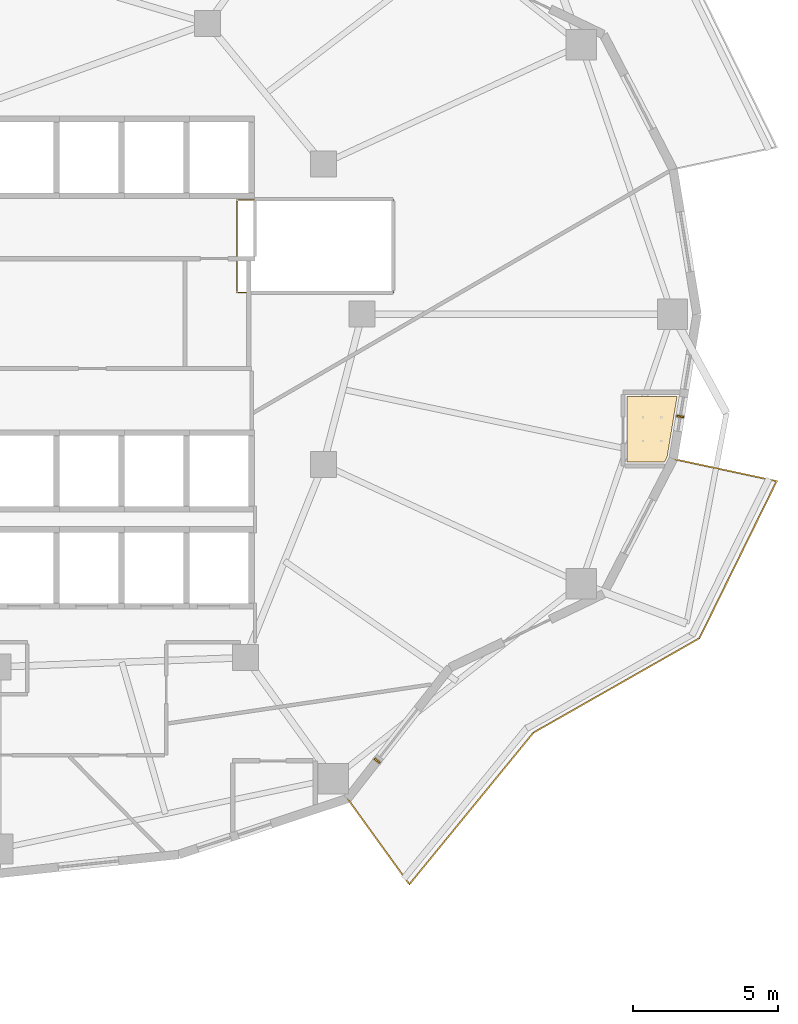
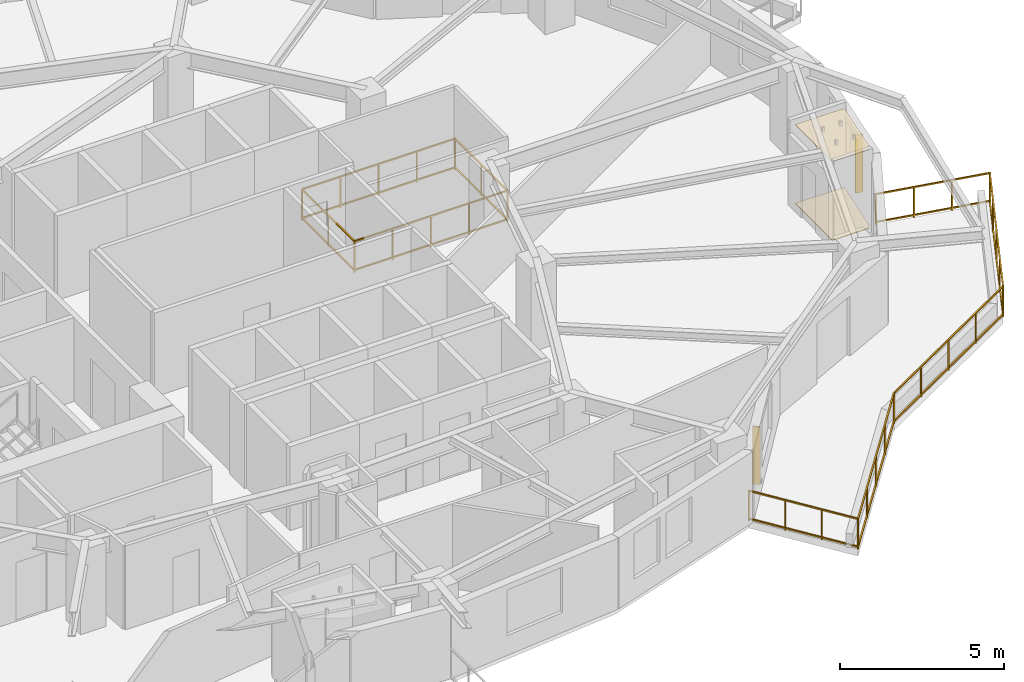
# One storey, part 12 of 14: 2 coverings, 2 railings, 2 shading devices.
"""IFC4 building model written with IfcOpenShell, lengths in metres."""

from ifc_helpers import new_model, si_unit, direction, frame, origin, origin_2d, place, context, subcontext, project, spatial, polyline, rectangle, outline, extrude, material, layer, layer_set, type_object, element, save


model = new_model("IFC4")

# Units and contexts
model_context = context("Model", 3, precision=1e-05, world=origin(), true_north=direction((0.0, 1.0)))
body_context = subcontext(model_context, "Body", "Model", "MODEL_VIEW")
ifc_project = project(units=[si_unit("LENGTHUNIT", "METRE"), si_unit("AREAUNIT", "SQUARE_METRE"), si_unit("VOLUMEUNIT", "CUBIC_METRE"), si_unit("PLANEANGLEUNIT", "RADIAN"), si_unit("MASSUNIT", "GRAM", prefix="KILO")], contexts=[model_context])

# Site, building, storey
site_placement = place(None, origin())
site = spatial("IfcSite", under=ifc_project, at=site_placement, CompositionType="ELEMENT")
building_placement = place(site_placement, origin())
building = spatial("IfcBuilding", under=site, at=building_placement, Name="Kolvaren Gate Tower and Convention Centre", CompositionType="ELEMENT")
storey_placement = place(building_placement, frame((0.0, 0.0, 105.300048828125)))
storey = spatial("IfcBuildingStorey", under=building, at=storey_placement, Name="L25", CompositionType="ELEMENT", Elevation=105.300048828125)

# Coverings
ifc_material_1 = material(Name="Perforated Mineral-Fibre Acoustic Ceiling Tile 18 mm", Category="gypsum")
ifc_layer_1 = layer(ifc_material_1, 0.01806640625)
ifc_layer_set_1 = layer_set([ifc_layer_1], Name="Perforated Mineral-Fibre Acoustic Ceiling Tile 18 mm")
covering_type_1 = type_object("IfcCoveringType", Name="ARCH-COV-CEIL-18", PredefinedType="CEILING", material=ifc_layer_set_1)
covering_1_placement = place(storey_placement, frame((0.0, 0.0, 2.949951171875)))
element("IfcCovering", 1, at=covering_1_placement, inside=storey, type_object=covering_type_1, Name="En-suite Bathroom (HTL-L25-03) Acoustic Suspended Ceiling", PredefinedType="CEILING", context=body_context, shape_type="SweptSolid", body=[
    extrude(outline(polyline([(51.889892578125, 21.889892578125), (51.889892578125, 24.159912109375), (53.6220703125, 24.159912109375), (53.27587890625, 22.06201171875), (53.18798828125, 21.889892578125), (51.889892578125, 21.889892578125)])), origin(), (0.0, 0.0, 1.0), 0.01806640625),
])
ifc_material_2 = material(Name="Honed Sabana Limestone Terrazzo Flooring 30 mm", Category="masonry")
ifc_layer_2 = layer(ifc_material_2, 0.030029296875)
ifc_layer_set_2 = layer_set([ifc_layer_2], Name="Honed Sabana Limestone Terrazzo Flooring 30 mm")
covering_type_2 = type_object("IfcCoveringType", Name="ARCH-COV-FLR-30", PredefinedType="FLOORING", material=ifc_layer_set_2)
covering_2_placement = place(storey_placement, origin())
element("IfcCovering", 2, at=covering_2_placement, inside=storey, type_object=covering_type_2, Name="En-suite Bathroom (HTL-L25-03) Interior Finish Flooring", PredefinedType="FLOORING", context=body_context, shape_type="SweptSolid", body=[
    extrude(outline(polyline([(51.889892578125, 21.889892578125), (51.889892578125, 24.159912109375), (53.6220703125, 24.159912109375), (53.27587890625, 22.06201171875), (53.18798828125, 21.889892578125), (51.889892578125, 21.889892578125)])), origin(), (0.0, 0.0, 1.0), 0.030029296875),
])

# Railings
ifc_material_3 = material(Name="Laminated Tempered Safety Glass Balustrade 21.5 mm", Category="glass")
railing_type_1 = type_object("IfcRailingType", Name="ARCH-RL-BALUST-1180", PredefinedType="BALUSTRADE", material=ifc_material_3)
railing_1_placement = place(storey_placement, frame((38.39990234375, 27.75, 0.0)))
element("IfcRailing", 3, at=railing_1_placement, inside=storey, type_object=railing_type_1, Name="Tower L25 Atrium Void Safety Balustrade", PredefinedType="BALUSTRADE", context=body_context, shape_type="SweptSolid", body=[
    extrude(rectangle(XDim=0.048095703125, YDim=0.048095703125, at=origin_2d()), frame((0.028076171875, 0.0, 1.15576171875), z_axis=(1.0, 0.0, 0.0), x_axis=(0.0, 1.0, 0.0)), (0.0, 0.0, 1.0), 5.343994140625),
    extrude(rectangle(XDim=0.048095703125, YDim=0.048095703125, at=origin_2d()), frame((0.028076171875, 0.0, 0.083984375), z_axis=(1.0, 0.0, 0.0), x_axis=(0.0, 1.0, 0.0)), (0.0, 0.0, 1.0), 5.343994140625),
    extrude(rectangle(XDim=0.048095703125, YDim=0.048095703125, at=origin_2d()), frame((5.400146484375, 0.028076171875, 1.15576171875), z_axis=(0.0, 1.0, 0.0), x_axis=(-1.0, 0.0, 0.0)), (0.0, 0.0, 1.0), 3.143798828125),
    extrude(rectangle(XDim=0.048095703125, YDim=0.048095703125, at=origin_2d()), frame((5.400146484375, 0.028076171875, 0.083984375), z_axis=(0.0, 1.0, 0.0), x_axis=(-1.0, 0.0, 0.0)), (0.0, 0.0, 1.0), 3.143798828125),
    extrude(rectangle(XDim=0.048095703125, YDim=0.048095703125, at=origin_2d()), frame((5.3720703125, 3.199951171875, 1.15576171875), z_axis=(-1.0, 0.0, 0.0), x_axis=(0.0, -1.0, 0.0)), (0.0, 0.0, 1.0), 5.343994140625),
    extrude(rectangle(XDim=0.048095703125, YDim=0.048095703125, at=origin_2d()), frame((5.3720703125, 3.199951171875, 0.083984375), z_axis=(-1.0, 0.0, 0.0), x_axis=(0.0, -1.0, 0.0)), (0.0, 0.0, 1.0), 5.343994140625),
    extrude(rectangle(XDim=0.048095703125, YDim=0.048095703125, at=origin_2d()), frame((0.0, 3.171875, 1.15576171875), z_axis=(0.0, -1.0, 0.0), x_axis=(1.0, 0.0, 0.0)), (0.0, 0.0, 1.0), 3.143798828125),
    extrude(rectangle(XDim=0.048095703125, YDim=0.048095703125, at=origin_2d()), frame((0.0, 3.171875, 0.083984375), z_axis=(0.0, -1.0, 0.0), x_axis=(1.0, 0.0, 0.0)), (0.0, 0.0, 1.0), 3.143798828125),
    extrude(rectangle(XDim=0.0419921875, YDim=0.0419921875, at=origin_2d()), origin(), (0.0, 0.0, 1.0), 1.179931640625),
    extrude(rectangle(XDim=0.0419921875, YDim=0.0419921875, at=origin_2d()), frame((5.400146484375, 0.0, 0.0)), (0.0, 0.0, 1.0), 1.179931640625),
    extrude(rectangle(XDim=0.0419921875, YDim=0.0419921875, at=origin_2d()), frame((1.35009765625, 0.0, 0.0)), (0.0, 0.0, 1.0), 1.1298828125),
    extrude(rectangle(XDim=0.0419921875, YDim=0.0419921875, at=origin_2d()), frame((2.7001953125, 0.0, 0.0)), (0.0, 0.0, 1.0), 1.1298828125),
    extrude(rectangle(XDim=0.0419921875, YDim=0.0419921875, at=origin_2d()), frame((4.050048828125, 0.0, 0.0)), (0.0, 0.0, 1.0), 1.1298828125),
    extrude(rectangle(XDim=0.0419921875, YDim=0.0419921875, at=origin_2d()), frame((5.400146484375, 3.199951171875, 0.0)), (0.0, 0.0, 1.0), 1.179931640625),
    extrude(rectangle(XDim=0.0419921875, YDim=0.0419921875, at=origin_2d()), frame((5.400146484375, 1.60009765625, 0.0)), (0.0, 0.0, 1.0), 1.1298828125),
    extrude(rectangle(XDim=0.0419921875, YDim=0.0419921875, at=origin_2d()), frame((0.0, 3.199951171875, 0.0)), (0.0, 0.0, 1.0), 1.179931640625),
    extrude(rectangle(XDim=0.0419921875, YDim=0.0419921875, at=origin_2d()), frame((4.050048828125, 3.199951171875, 0.0)), (0.0, 0.0, 1.0), 1.1298828125),
    extrude(rectangle(XDim=0.0419921875, YDim=0.0419921875, at=origin_2d()), frame((2.7001953125, 3.199951171875, 0.0)), (0.0, 0.0, 1.0), 1.1298828125),
    extrude(rectangle(XDim=0.0419921875, YDim=0.0419921875, at=origin_2d()), frame((1.35009765625, 3.199951171875, 0.0)), (0.0, 0.0, 1.0), 1.1298828125),
    extrude(rectangle(XDim=0.0419921875, YDim=0.0419921875, at=origin_2d()), frame((0.0, 1.60009765625, 0.0)), (0.0, 0.0, 1.0), 1.1298828125),
])
ifc_material_4 = material(Name="Brushed Stainless Steel Grade 316L", Category="steel")
railing_type_2 = type_object("IfcRailingType", Name="ARCH-RL-GUARD-1150", PredefinedType="GUARDRAIL", material=ifc_material_4)
railing_2_placement = place(storey_placement, frame((42.21875, 10.242431640625, 0.0)))
element("IfcRailing", 4, at=railing_2_placement, inside=storey, type_object=railing_type_2, Name="Tower L25 Terrace Perimeter Guardrail GR-4", PredefinedType="GUARDRAIL", context=body_context, shape_type="SweptSolid", body=[
    extrude(rectangle(XDim=0.048095703125, YDim=0.048095703125, at=origin_2d()), frame((0.016357421875, -0.022705078125, 1.1259765625), z_axis=(0.585212870465, -0.810879705161, 0.0), x_axis=(0.810879705161, 0.585212870465, 0.0)), (0.0, 0.0, 1.0), 3.603759765625),
    extrude(rectangle(XDim=0.048095703125, YDim=0.048095703125, at=origin_2d()), frame((0.016357421875, -0.022705078125, 0.083984375), z_axis=(0.585212870465, -0.810879705161, 0.0), x_axis=(0.810879705161, 0.585212870465, 0.0)), (0.0, 0.0, 1.0), 3.603759765625),
    extrude(rectangle(XDim=0.048095703125, YDim=0.048095703125, at=origin_2d()), frame((2.15966796875, -2.946044921875, 1.1259765625), z_axis=(0.633002467947, 0.77414977593, 0.0), x_axis=(-0.77414977593, 0.633002467947, 0.0)), (0.0, 0.0, 1.0), 6.724365234375),
    extrude(rectangle(XDim=0.048095703125, YDim=0.048095703125, at=origin_2d()), frame((2.15966796875, -2.946044921875, 0.083984375), z_axis=(0.633002467947, 0.77414977593, 0.0), x_axis=(-0.77414977593, 0.633002467947, 0.0)), (0.0, 0.0, 1.0), 6.724365234375),
    extrude(rectangle(XDim=0.048095703125, YDim=0.048095703125, at=origin_2d()), frame((6.458251953125, 2.295166015625, 1.1259765625), z_axis=(0.869196694318, 0.494466486819, 0.0), x_axis=(-0.494466486819, 0.869196694318, 0.0)), (0.0, 0.0, 1.0), 6.55029296875),
    extrude(rectangle(XDim=0.048095703125, YDim=0.048095703125, at=origin_2d()), frame((6.458251953125, 2.295166015625, 0.083984375), z_axis=(0.869196694318, 0.494466486819, 0.0), x_axis=(-0.494466486819, 0.869196694318, 0.0)), (0.0, 0.0, 1.0), 6.55029296875),
    extrude(rectangle(XDim=0.048095703125, YDim=0.048095703125, at=origin_2d()), frame((12.1884765625, 5.572998046875, 1.1259765625), z_axis=(0.441237167293, 0.897390529368, 0.0), x_axis=(-0.897390529368, 0.441237167293, 0.0)), (0.0, 0.0, 1.0), 5.999755859375),
    extrude(rectangle(XDim=0.048095703125, YDim=0.048095703125, at=origin_2d()), frame((12.1884765625, 5.572998046875, 0.083984375), z_axis=(0.441237167293, 0.897390529368, 0.0), x_axis=(-0.897390529368, 0.441237167293, 0.0)), (0.0, 0.0, 1.0), 5.999755859375),
    extrude(rectangle(XDim=0.048095703125, YDim=0.048095703125, at=origin_2d()), frame((14.82080078125, 10.98828125, 1.1259765625), z_axis=(-0.977788745232, 0.209592866525, 0.0), x_axis=(-0.209592866525, -0.977788745232, 0.0)), (0.0, 0.0, 1.0), 3.603759765625),
    extrude(rectangle(XDim=0.048095703125, YDim=0.048095703125, at=origin_2d()), frame((14.82080078125, 10.98828125, 0.083984375), z_axis=(-0.977788745232, 0.209592866525, 0.0), x_axis=(-0.209592866525, -0.977788745232, 0.0)), (0.0, 0.0, 1.0), 3.603759765625),
    extrude(rectangle(XDim=0.0419921875, YDim=0.0419921875, at=origin_2d()), origin(), (0.0, 0.0, 1.0), 1.14990234375),
    extrude(rectangle(XDim=0.0419921875, YDim=0.0419921875, at=origin_2d()), frame((2.141845703125, -2.9677734375, 0.0)), (0.0, 0.0, 1.0), 1.14990234375),
    extrude(rectangle(XDim=0.0419921875, YDim=0.0419921875, at=origin_2d()), frame((0.7138671875, -0.9892578125, 0.0)), (0.0, 0.0, 1.0), 1.099853515625),
    extrude(rectangle(XDim=0.0419921875, YDim=0.0419921875, at=origin_2d()), frame((1.427978515625, -1.978515625, 0.0)), (0.0, 0.0, 1.0), 1.099853515625),
    extrude(rectangle(XDim=0.0419921875, YDim=0.0419921875, at=origin_2d()), frame((6.433837890625, 2.28125, 0.0)), (0.0, 0.0, 1.0), 1.14990234375),
    extrude(rectangle(XDim=0.0419921875, YDim=0.0419921875, at=origin_2d()), frame((3.21484375, -1.655517578125, 0.0)), (0.0, 0.0, 1.0), 1.099853515625),
    extrude(rectangle(XDim=0.0419921875, YDim=0.0419921875, at=origin_2d()), frame((4.287841796875, -0.34326171875, 0.0)), (0.0, 0.0, 1.0), 1.099853515625),
    extrude(rectangle(XDim=0.0419921875, YDim=0.0419921875, at=origin_2d()), frame((5.36083984375, 0.968994140625, 0.0)), (0.0, 0.0, 1.0), 1.099853515625),
    extrude(rectangle(XDim=0.0419921875, YDim=0.0419921875, at=origin_2d()), frame((12.176025390625, 5.5478515625, 0.0)), (0.0, 0.0, 1.0), 1.14990234375),
    extrude(rectangle(XDim=0.0419921875, YDim=0.0419921875, at=origin_2d()), frame((7.869384765625, 3.097900390625, 0.0)), (0.0, 0.0, 1.0), 1.099853515625),
    extrude(rectangle(XDim=0.0419921875, YDim=0.0419921875, at=origin_2d()), frame((9.304931640625, 3.91455078125, 0.0)), (0.0, 0.0, 1.0), 1.099853515625),
    extrude(rectangle(XDim=0.0419921875, YDim=0.0419921875, at=origin_2d()), frame((10.740478515625, 4.731201171875, 0.0)), (0.0, 0.0, 1.0), 1.099853515625),
    extrude(rectangle(XDim=0.0419921875, YDim=0.0419921875, at=origin_2d()), frame((14.84814453125, 10.982421875, 0.0)), (0.0, 0.0, 1.0), 1.14990234375),
    extrude(rectangle(XDim=0.0419921875, YDim=0.0419921875, at=origin_2d()), frame((12.843994140625, 6.906494140625, 0.0)), (0.0, 0.0, 1.0), 1.099853515625),
    extrude(rectangle(XDim=0.0419921875, YDim=0.0419921875, at=origin_2d()), frame((13.51220703125, 8.26513671875, 0.0)), (0.0, 0.0, 1.0), 1.099853515625),
    extrude(rectangle(XDim=0.0419921875, YDim=0.0419921875, at=origin_2d()), frame((14.18017578125, 9.623779296875, 0.0)), (0.0, 0.0, 1.0), 1.099853515625),
    extrude(rectangle(XDim=0.0419921875, YDim=0.0419921875, at=origin_2d()), frame((11.26953125, 11.74951171875, 0.0)), (0.0, 0.0, 1.0), 1.14990234375),
    extrude(rectangle(XDim=0.0419921875, YDim=0.0419921875, at=origin_2d()), frame((13.6552734375, 11.238037109375, 0.0)), (0.0, 0.0, 1.0), 1.099853515625),
    extrude(rectangle(XDim=0.0419921875, YDim=0.0419921875, at=origin_2d()), frame((12.46240234375, 11.493896484375, 0.0)), (0.0, 0.0, 1.0), 1.099853515625),
])

# Shading devices
ifc_material_5 = material(Name="Kiln-Fired Bogota Terracotta Ceramic Louvre Profile", Category="masonry")
shading_device_type = type_object("IfcShadingDeviceType", Name="ARCH-SHD-FIN-180", PredefinedType="JALOUSIE", material=ifc_material_5)
for number, where, z_axis, x_axis, name in (
    (5, (43.24755859375, 11.556640625, 0.219970703125), (0.0, 0.0, 1.0), (0.616424499081, 0.787414018756, 0.0), "Ceramic Vertical Brise-Soleil Fin FN-L25-20"),
    (6, (53.730224609375, 23.462158203125, 0.219970703125), (0.0, 0.0, 1.0), (0.162389178836, 0.986726788223, 0.0), "Ceramic Vertical Brise-Soleil Fin FN-L25-23"),
):
    element("IfcShadingDevice", number, at=place(storey_placement, frame(where, z_axis=z_axis, x_axis=x_axis)), inside=storey, type_object=shading_device_type, Name=name, PredefinedType="JALOUSIE", context=body_context, shape_type="SweptSolid", body=[
        extrude(rectangle(XDim=0.06005859375, YDim=0.239990234375, at=origin_2d()), origin(), (0.0, 0.0, 1.0), 2.14990234375),
    ])

save(model, "model.ifc")
